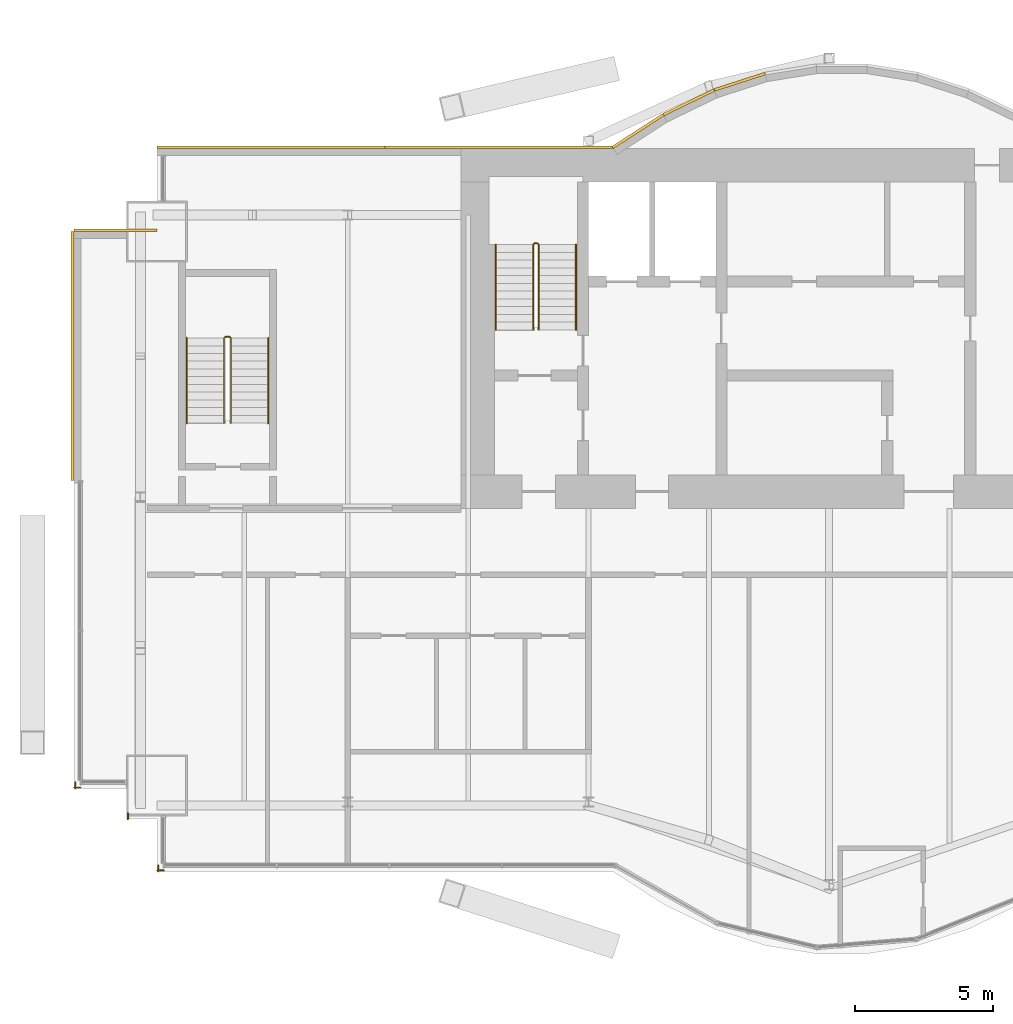
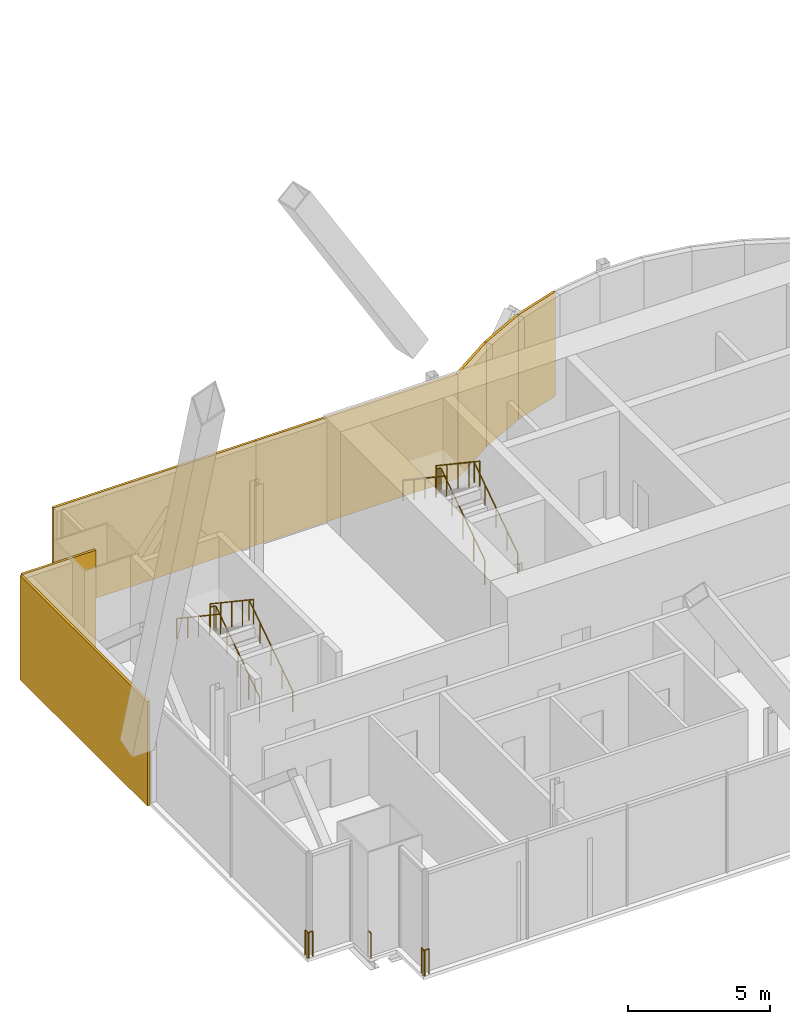
# One storey, part 20 of 22: 9 railings, 7 coverings.
"""IFC4 building model written with IfcOpenShell, lengths in metres."""

from ifc_helpers import new_model, si_unit, direction, frame, origin, origin_2d, place, context, subcontext, project, spatial, rectangle, circle, extrude, material, layer, layer_set, type_object, element, save


model = new_model("IFC4")

# Units and contexts
model_context = context("Model", 3, precision=1e-05, world=origin(), true_north=direction((0.0, 1.0)))
body_context = subcontext(model_context, "Body", "Model", "MODEL_VIEW")
ifc_project = project(units=[si_unit("LENGTHUNIT", "METRE"), si_unit("AREAUNIT", "SQUARE_METRE"), si_unit("VOLUMEUNIT", "CUBIC_METRE"), si_unit("PLANEANGLEUNIT", "RADIAN"), si_unit("MASSUNIT", "GRAM", prefix="KILO")], contexts=[model_context])

# Site, building, storey
site_placement = place(None, origin())
site = spatial("IfcSite", under=ifc_project, at=site_placement, CompositionType="ELEMENT")
building_placement = place(site_placement, origin())
building = spatial("IfcBuilding", under=site, at=building_placement, Name="Bicima Exchange Tower", CompositionType="ELEMENT")
storey_placement = place(building_placement, frame((0.0, 0.0, 315.5)))
storey = spatial("IfcBuildingStorey", under=building, at=storey_placement, Name="L71", CompositionType="ELEMENT", Elevation=315.5)

# Coverings
ifc_material_1 = material(Name="Bronze metal cladding")
ifc_layer_1 = layer(ifc_material_1, 0.004)
ifc_material_2 = material(Name="Ventilated cavity")
ifc_layer_2 = layer(ifc_material_2, 0.06)
ifc_material_3 = material(Name="Galvanised steel rail and mineral wool", Category="steel")
ifc_layer_3 = layer(ifc_material_3, 0.036)
ifc_layer_set = layer_set([ifc_layer_1, ifc_layer_2, ifc_layer_3], Name="Ventilated cavity")
covering_type = type_object("IfcCoveringType", Name="Bronze metal cladding panel 100", PredefinedType="CLADDING", material=ifc_layer_set)
covering_1_placement = place(storey_placement, frame((-11.931884765625, 2.41796875, -0.14990234375), z_axis=(0.0, 0.0, 1.0), x_axis=(-0.951524642381, -0.307572519808, 0.0)))
element("IfcCovering", 1, at=covering_1_placement, inside=storey, type_object=covering_type, Name="Bronze cladding L71 17.1", PredefinedType="CLADDING", context=body_context, shape_type="SweptSolid", body=[
    extrude(rectangle(XDim=1.9267578125, YDim=0.10009765625, at=origin_2d()), origin(), (0.0, 0.0, 1.0), 4.5),
])
covering_2_placement = place(storey_placement, frame((-13.771728515625, 1.674560546875, -0.14990234375), z_axis=(0.0, 0.0, 1.0), x_axis=(-0.899818346812, -0.436264762204, 0.0)))
element("IfcCovering", 2, at=covering_2_placement, inside=storey, type_object=covering_type, Name="Bronze cladding L71 18.1", PredefinedType="CLADDING", context=body_context, shape_type="SweptSolid", body=[
    extrude(rectangle(XDim=2.03759765625, YDim=0.10009765625, at=origin_2d()), origin(), (0.0, 0.0, 1.0), 4.5),
])
covering_3_placement = place(storey_placement, frame((-15.610595703125, 0.634521484375, -0.14990234375), z_axis=(0.0, 0.0, 1.0), x_axis=(-0.839790466384, -0.542910648791, 0.0)))
element("IfcCovering", 3, at=covering_3_placement, inside=storey, type_object=covering_type, Name="Bronze cladding L71 19.1", PredefinedType="CLADDING", context=body_context, shape_type="SweptSolid", body=[
    extrude(rectangle(XDim=2.18310546875, YDim=0.10009765625, at=origin_2d()), origin(), (0.0, 0.0, 1.0), 4.5),
])
for number, where, z_axis, x_axis, name in (
    (4, (-20.625, 0.050048828125, -0.14990234375), (0.0, 0.0, 1.0), (-1.0, 0.0, 0.0), "Bronze cladding L71 20.1"),
    (5, (-28.875, 0.050048828125, -0.14990234375), (0.0, 0.0, 1.0), (-1.0, 0.0, 0.0), "Bronze cladding L71 20.2"),
):
    element("IfcCovering", number, at=place(storey_placement, frame(where, z_axis=z_axis, x_axis=x_axis)), inside=storey, type_object=covering_type, Name=name, PredefinedType="CLADDING", context=body_context, shape_type="SweptSolid", body=[
        extrude(rectangle(XDim=8.25, YDim=0.10009765625, at=origin_2d()), origin(), (0.0, 0.0, 1.0), 4.5),
    ])
covering_4_placement = place(storey_placement, frame((-34.5, -2.949951171875, -0.14990234375), z_axis=(0.0, 0.0, 1.0), x_axis=(-1.0, 0.0, 0.0)))
element("IfcCovering", 6, at=covering_4_placement, inside=storey, type_object=covering_type, Name="Bronze cladding L71 22.1", PredefinedType="CLADDING", context=body_context, shape_type="SweptSolid", body=[
    extrude(rectangle(XDim=3.0, YDim=0.10009765625, at=origin_2d()), origin(), (0.0, 0.0, 1.0), 4.5),
])
covering_5_placement = place(storey_placement, frame((-36.050048828125, -7.5, -0.14990234375), z_axis=(0.0, 0.0, 1.0), x_axis=(0.0, -1.0, 0.0)))
element("IfcCovering", 7, at=covering_5_placement, inside=storey, type_object=covering_type, Name="Bronze cladding L71 23.1", PredefinedType="CLADDING", context=body_context, shape_type="SweptSolid", body=[
    extrude(rectangle(XDim=9.0, YDim=0.10009765625, at=origin_2d()), origin(), (0.0, 0.0, 1.0), 4.5),
])

# Railings
ifc_material_4 = material(Name="Stainless steel and bonded safety glass", Category="steel")
railing_type_1 = type_object("IfcRailingType", Name="Edge guard 1100", PredefinedType="GUARDRAIL", material=ifc_material_4)
railing_1_placement = place(storey_placement, frame((-35.762939453125, -23.090087890625, 0.0)))
element("IfcRailing", 8, at=railing_1_placement, inside=storey, type_object=railing_type_1, Name="Edge guard L71 367", PredefinedType="GUARDRAIL", context=body_context, shape_type="SweptSolid", body=[
    extrude(circle(Radius=0.02392578125, at=origin_2d()), frame((0.0, 0.0, 1.076171875), z_axis=(-1.0, 0.0, 0.0), x_axis=(0.0, -1.0, 0.0)), (0.0, 0.0, 1.0), 0.237060546875),
    extrude(circle(Radius=0.02392578125, at=origin_2d()), frame((-0.237060546875, 0.0, 1.076171875), z_axis=(0.708833529934, -0.705375805398, 0.0), x_axis=(0.705375805398, 0.708833529934, 0.0)), (0.0, 0.0, 1.0), 0.070556640625),
    extrude(circle(Radius=0.02392578125, at=origin_2d()), frame((-0.18701171875, -0.0498046875, 1.076171875), z_axis=(0.0, 1.0, 0.0), x_axis=(-1.0, 0.0, 0.0)), (0.0, 0.0, 1.0), 0.248779296875),
    extrude(circle(Radius=0.02099609375, at=origin_2d()), origin(), (0.0, 0.0, 1.0), 1.052001953125),
    extrude(circle(Radius=0.02099609375, at=origin_2d()), frame((-0.237060546875, 0.0, 0.0)), (0.0, 0.0, 1.0), 1.052001953125),
    extrude(circle(Radius=0.02099609375, at=origin_2d()), frame((-0.18701171875, -0.0498046875, 0.0)), (0.0, 0.0, 1.0), 1.052001953125),
    extrude(circle(Radius=0.02099609375, at=origin_2d()), frame((-0.18701171875, 0.198974609375, 0.0)), (0.0, 0.0, 1.0), 1.052001953125),
])
railing_2_placement = place(storey_placement, frame((-32.75, -26.090087890625, 0.0)))
element("IfcRailing", 9, at=railing_2_placement, inside=storey, type_object=railing_type_1, Name="Edge guard L71 371", PredefinedType="GUARDRAIL", context=body_context, shape_type="SweptSolid", body=[
    extrude(circle(Radius=0.02392578125, at=origin_2d()), frame((0.0, 0.0, 1.076171875), z_axis=(-1.0, 0.0, 0.0), x_axis=(0.0, -1.0, 0.0)), (0.0, 0.0, 1.0), 0.25),
    extrude(circle(Radius=0.02392578125, at=origin_2d()), frame((-0.25, 0.0, 1.076171875), z_axis=(0.708833529934, -0.705375805398, 0.0), x_axis=(0.705375805398, 0.708833529934, 0.0)), (0.0, 0.0, 1.0), 0.070556640625),
    extrude(circle(Radius=0.02392578125, at=origin_2d()), frame((-0.199951171875, -0.0498046875, 1.076171875), z_axis=(0.0, 1.0, 0.0), x_axis=(-1.0, 0.0, 0.0)), (0.0, 0.0, 1.0), 0.23779296875),
    extrude(circle(Radius=0.02099609375, at=origin_2d()), origin(), (0.0, 0.0, 1.0), 1.052001953125),
    extrude(circle(Radius=0.02099609375, at=origin_2d()), frame((-0.25, 0.0, 0.0)), (0.0, 0.0, 1.0), 1.052001953125),
    extrude(circle(Radius=0.02099609375, at=origin_2d()), frame((-0.199951171875, -0.0498046875, 0.0)), (0.0, 0.0, 1.0), 1.052001953125),
    extrude(circle(Radius=0.02099609375, at=origin_2d()), frame((-0.199951171875, 0.18798828125, 0.0)), (0.0, 0.0, 1.0), 1.052001953125),
])
railing_3_placement = place(storey_placement, frame((-34.050048828125, -24.239990234375, 0.0)))
element("IfcRailing", 10, at=railing_3_placement, inside=storey, type_object=railing_type_1, Name="Edge guard L71 372", PredefinedType="GUARDRAIL", context=body_context, shape_type="SweptSolid", body=[
    extrude(circle(Radius=0.02392578125, at=origin_2d()), frame((0.0, 0.0, 1.076171875), z_axis=(0.0, 1.0, 0.0), x_axis=(-1.0, 0.0, 0.0)), (0.0, 0.0, 1.0), 0.219970703125),
    extrude(circle(Radius=0.02099609375, at=origin_2d()), origin(), (0.0, 0.0, 1.0), 1.052001953125),
    extrude(circle(Radius=0.02099609375, at=origin_2d()), frame((0.0, 0.219970703125, 0.0)), (0.0, 0.0, 1.0), 1.052001953125),
])
ifc_material_5 = material(Name="Stainless steel", Category="steel")
railing_type_2 = type_object("IfcRailingType", Name="Stair guard 1100", PredefinedType="GUARDRAIL", material=ifc_material_5)
railing_4_placement = place(storey_placement, frame((-19.199951171875, -6.550048828125, 0.1875)))
element("IfcRailing", 11, at=railing_4_placement, inside=storey, type_object=railing_type_2, Name="L71 ST-W stair guard 1", PredefinedType="GUARDRAIL", context=body_context, shape_type="SweptSolid", body=[
    extrude(circle(Radius=0.02392578125, at=origin_2d()), frame((0.0, 0.0, 1.076171875), z_axis=(0.0, 0.830913701846, 0.55640131208), x_axis=(-1.0, 0.0, 0.0)), (0.0, 0.0, 1.0), 3.706787109375),
    extrude(circle(Radius=0.02392578125, at=origin_2d()), frame((0.0, 3.080078125, 3.138671875), z_axis=(-0.707106781187, 0.707106781187, 0.0), x_axis=(-0.707106781187, -0.707106781187, 0.0)), (0.0, 0.0, 1.0), 0.07080078125),
    extrude(circle(Radius=0.02392578125, at=origin_2d()), frame((-0.050048828125, 3.130126953125, 3.138671875), z_axis=(-1.0, 0.0, 0.0), x_axis=(0.0, -1.0, 0.0)), (0.0, 0.0, 1.0), 0.10009765625),
    extrude(circle(Radius=0.02392578125, at=origin_2d()), frame((-0.150146484375, 3.130126953125, 3.138671875), z_axis=(-0.248583702486, -0.249802250048, 0.935844527007), x_axis=(0.708833529934, -0.705375805398, 0.0)), (0.0, 0.0, 1.0), 0.200439453125),
    extrude(circle(Radius=0.02392578125, at=origin_2d()), frame((-0.199951171875, 3.080078125, 3.326171875), z_axis=(0.0, -0.830913701846, 0.55640131208), x_axis=(1.0, 0.0, 0.0)), (0.0, 0.0, 1.0), 3.706787109375),
    extrude(circle(Radius=0.02099609375, at=origin_2d()), origin(), (0.0, 0.0, 1.0), 1.052001953125),
    extrude(circle(Radius=0.02099609375, at=origin_2d()), frame((0.0, 0.77001953125, 0.515625)), (0.0, 0.0, 1.0), 1.052001953125),
    extrude(circle(Radius=0.02099609375, at=origin_2d()), frame((0.0, 1.5400390625, 1.03125)), (0.0, 0.0, 1.0), 1.052001953125),
    extrude(circle(Radius=0.02099609375, at=origin_2d()), frame((0.0, 2.31005859375, 1.546875)), (0.0, 0.0, 1.0), 1.052001953125),
    extrude(circle(Radius=0.02099609375, at=origin_2d()), frame((0.0, 3.080078125, 2.0625)), (0.0, 0.0, 1.0), 1.052001953125),
    extrude(circle(Radius=0.02099609375, at=origin_2d()), frame((-0.050048828125, 3.130126953125, 2.0625)), (0.0, 0.0, 1.0), 1.052001953125),
    extrude(circle(Radius=0.02099609375, at=origin_2d()), frame((-0.150146484375, 3.130126953125, 2.0625)), (0.0, 0.0, 1.0), 1.052001953125),
    extrude(circle(Radius=0.02099609375, at=origin_2d()), frame((-0.199951171875, 3.080078125, 2.25)), (0.0, 0.0, 1.0), 1.052001953125),
    extrude(circle(Radius=0.02099609375, at=origin_2d()), frame((-0.199951171875, 2.31005859375, 2.765625)), (0.0, 0.0, 1.0), 1.052001953125),
    extrude(circle(Radius=0.02099609375, at=origin_2d()), frame((-0.199951171875, 1.5400390625, 3.28125)), (0.0, 0.0, 1.0), 1.052001953125),
    extrude(circle(Radius=0.02099609375, at=origin_2d()), frame((-0.199951171875, 0.77001953125, 3.796875)), (0.0, 0.0, 1.0), 1.052001953125),
    extrude(circle(Radius=0.02099609375, at=origin_2d()), frame((-0.199951171875, 0.0, 4.3125)), (0.0, 0.0, 1.0), 1.052001953125),
])
railing_5_placement = place(storey_placement, frame((-30.324951171875, -9.925048828125, 0.1875)))
element("IfcRailing", 12, at=railing_5_placement, inside=storey, type_object=railing_type_2, Name="L71 ST-WW stair guard 1", PredefinedType="GUARDRAIL", context=body_context, shape_type="SweptSolid", body=[
    extrude(circle(Radius=0.02392578125, at=origin_2d()), frame((0.0, 0.0, 1.076171875), z_axis=(0.0, 0.830913701846, 0.55640131208), x_axis=(-1.0, 0.0, 0.0)), (0.0, 0.0, 1.0), 3.706787109375),
    extrude(circle(Radius=0.02392578125, at=origin_2d()), frame((0.0, 3.080078125, 3.138671875), z_axis=(-0.707106781187, 0.707106781187, 0.0), x_axis=(-0.707106781187, -0.707106781187, 0.0)), (0.0, 0.0, 1.0), 0.07080078125),
    extrude(circle(Radius=0.02392578125, at=origin_2d()), frame((-0.050048828125, 3.130126953125, 3.138671875), z_axis=(-1.0, 0.0, 0.0), x_axis=(0.0, -1.0, 0.0)), (0.0, 0.0, 1.0), 0.14990234375),
    extrude(circle(Radius=0.02392578125, at=origin_2d()), frame((-0.199951171875, 3.130126953125, 3.138671875), z_axis=(-0.249726431254, -0.249726431254, 0.935560483917), x_axis=(0.707106781187, -0.707106781187, 0.0)), (0.0, 0.0, 1.0), 0.200439453125),
    extrude(circle(Radius=0.02392578125, at=origin_2d()), frame((-0.25, 3.080078125, 3.326171875), z_axis=(0.0, -0.830913701846, 0.55640131208), x_axis=(1.0, 0.0, 0.0)), (0.0, 0.0, 1.0), 3.706787109375),
    extrude(circle(Radius=0.02099609375, at=origin_2d()), origin(), (0.0, 0.0, 1.0), 1.052001953125),
    extrude(circle(Radius=0.02099609375, at=origin_2d()), frame((0.0, 0.77001953125, 0.515625)), (0.0, 0.0, 1.0), 1.052001953125),
    extrude(circle(Radius=0.02099609375, at=origin_2d()), frame((0.0, 1.5400390625, 1.03125)), (0.0, 0.0, 1.0), 1.052001953125),
    extrude(circle(Radius=0.02099609375, at=origin_2d()), frame((0.0, 2.31005859375, 1.546875)), (0.0, 0.0, 1.0), 1.052001953125),
    extrude(circle(Radius=0.02099609375, at=origin_2d()), frame((0.0, 3.080078125, 2.0625)), (0.0, 0.0, 1.0), 1.052001953125),
    extrude(circle(Radius=0.02099609375, at=origin_2d()), frame((-0.050048828125, 3.130126953125, 2.0625)), (0.0, 0.0, 1.0), 1.052001953125),
    extrude(circle(Radius=0.02099609375, at=origin_2d()), frame((-0.199951171875, 3.130126953125, 2.0625)), (0.0, 0.0, 1.0), 1.052001953125),
    extrude(circle(Radius=0.02099609375, at=origin_2d()), frame((-0.25, 3.080078125, 2.25)), (0.0, 0.0, 1.0), 1.052001953125),
    extrude(circle(Radius=0.02099609375, at=origin_2d()), frame((-0.25, 2.31005859375, 2.765625)), (0.0, 0.0, 1.0), 1.052001953125),
    extrude(circle(Radius=0.02099609375, at=origin_2d()), frame((-0.25, 1.5400390625, 3.28125)), (0.0, 0.0, 1.0), 1.052001953125),
    extrude(circle(Radius=0.02099609375, at=origin_2d()), frame((-0.25, 0.77001953125, 3.796875)), (0.0, 0.0, 1.0), 1.052001953125),
    extrude(circle(Radius=0.02099609375, at=origin_2d()), frame((-0.25, 0.0, 4.3125)), (0.0, 0.0, 1.0), 1.052001953125),
])
railing_type_3 = type_object("IfcRailingType", Name="Stair handrail 900", PredefinedType="HANDRAIL", material=ifc_material_5)
railing_6_placement = place(storey_placement, frame((-17.85009765625, -6.550048828125, 0.1875)))
element("IfcRailing", 13, at=railing_6_placement, inside=storey, type_object=railing_type_3, Name="L71 ST-W stair handrail 1", PredefinedType="HANDRAIL", context=body_context, shape_type="SweptSolid", body=[
    extrude(circle(Radius=0.02392578125, at=origin_2d()), frame((0.0, 0.0, 0.8759765625), z_axis=(0.0, 0.830913701846, 0.55640131208), x_axis=(-1.0, 0.0, 0.0)), (0.0, 0.0, 1.0), 3.706787109375),
    extrude(circle(Radius=0.02099609375, at=origin_2d()), origin(), (0.0, 0.0, 1.0), 0.851806640625),
    extrude(circle(Radius=0.02099609375, at=origin_2d()), frame((0.0, 0.77001953125, 0.515625)), (0.0, 0.0, 1.0), 0.851806640625),
    extrude(circle(Radius=0.02099609375, at=origin_2d()), frame((0.0, 1.5400390625, 1.03125)), (0.0, 0.0, 1.0), 0.851806640625),
    extrude(circle(Radius=0.02099609375, at=origin_2d()), frame((0.0, 2.31005859375, 1.546875)), (0.0, 0.0, 1.0), 0.851806640625),
    extrude(circle(Radius=0.02099609375, at=origin_2d()), frame((0.0, 3.080078125, 2.0625)), (0.0, 0.0, 1.0), 0.851806640625),
])
railing_7_placement = place(storey_placement, frame((-20.75, -3.469970703125, 2.47900390625)))
element("IfcRailing", 14, at=railing_7_placement, inside=storey, type_object=railing_type_3, Name="L71 ST-W stair handrail 2", PredefinedType="HANDRAIL", context=body_context, shape_type="SweptSolid", body=[
    extrude(circle(Radius=0.02392578125, at=origin_2d()), frame((0.0, 0.0, 0.8759765625), z_axis=(0.0, -0.830913701846, 0.55640131208), x_axis=(1.0, 0.0, 0.0)), (0.0, 0.0, 1.0), 3.706787109375),
    extrude(circle(Radius=0.02099609375, at=origin_2d()), origin(), (0.0, 0.0, 1.0), 0.851806640625),
    extrude(circle(Radius=0.02099609375, at=origin_2d()), frame((0.0, -0.77001953125, 0.515625)), (0.0, 0.0, 1.0), 0.851806640625),
    extrude(circle(Radius=0.02099609375, at=origin_2d()), frame((0.0, -1.5400390625, 1.03125)), (0.0, 0.0, 1.0), 0.851806640625),
    extrude(circle(Radius=0.02099609375, at=origin_2d()), frame((0.0, -2.31005859375, 1.546875)), (0.0, 0.0, 1.0), 0.851806640625),
    extrude(circle(Radius=0.02099609375, at=origin_2d()), frame((0.0, -3.080078125, 2.0625)), (0.0, 0.0, 1.0), 0.851806640625),
])
railing_8_placement = place(storey_placement, frame((-28.97509765625, -9.925048828125, 0.1875)))
element("IfcRailing", 15, at=railing_8_placement, inside=storey, type_object=railing_type_3, Name="L71 ST-WW stair handrail 1", PredefinedType="HANDRAIL", context=body_context, shape_type="SweptSolid", body=[
    extrude(circle(Radius=0.02392578125, at=origin_2d()), frame((0.0, 0.0, 0.8759765625), z_axis=(0.0, 0.830913701846, 0.55640131208), x_axis=(-1.0, 0.0, 0.0)), (0.0, 0.0, 1.0), 3.706787109375),
    extrude(circle(Radius=0.02099609375, at=origin_2d()), origin(), (0.0, 0.0, 1.0), 0.851806640625),
    extrude(circle(Radius=0.02099609375, at=origin_2d()), frame((0.0, 0.77001953125, 0.515625)), (0.0, 0.0, 1.0), 0.851806640625),
    extrude(circle(Radius=0.02099609375, at=origin_2d()), frame((0.0, 1.5400390625, 1.03125)), (0.0, 0.0, 1.0), 0.851806640625),
    extrude(circle(Radius=0.02099609375, at=origin_2d()), frame((0.0, 2.31005859375, 1.546875)), (0.0, 0.0, 1.0), 0.851806640625),
    extrude(circle(Radius=0.02099609375, at=origin_2d()), frame((0.0, 3.080078125, 2.0625)), (0.0, 0.0, 1.0), 0.851806640625),
])
railing_9_placement = place(storey_placement, frame((-31.925048828125, -6.844970703125, 2.47900390625)))
element("IfcRailing", 16, at=railing_9_placement, inside=storey, type_object=railing_type_3, Name="L71 ST-WW stair handrail 2", PredefinedType="HANDRAIL", context=body_context, shape_type="SweptSolid", body=[
    extrude(circle(Radius=0.02392578125, at=origin_2d()), frame((0.0, 0.0, 0.8759765625), z_axis=(0.0, -0.830913701846, 0.55640131208), x_axis=(1.0, 0.0, 0.0)), (0.0, 0.0, 1.0), 3.706787109375),
    extrude(circle(Radius=0.02099609375, at=origin_2d()), origin(), (0.0, 0.0, 1.0), 0.851806640625),
    extrude(circle(Radius=0.02099609375, at=origin_2d()), frame((0.0, -0.77001953125, 0.515625)), (0.0, 0.0, 1.0), 0.851806640625),
    extrude(circle(Radius=0.02099609375, at=origin_2d()), frame((0.0, -1.5400390625, 1.03125)), (0.0, 0.0, 1.0), 0.851806640625),
    extrude(circle(Radius=0.02099609375, at=origin_2d()), frame((0.0, -2.31005859375, 1.546875)), (0.0, 0.0, 1.0), 0.851806640625),
    extrude(circle(Radius=0.02099609375, at=origin_2d()), frame((0.0, -3.080078125, 2.0625)), (0.0, 0.0, 1.0), 0.851806640625),
])

save(model, "model.ifc")
